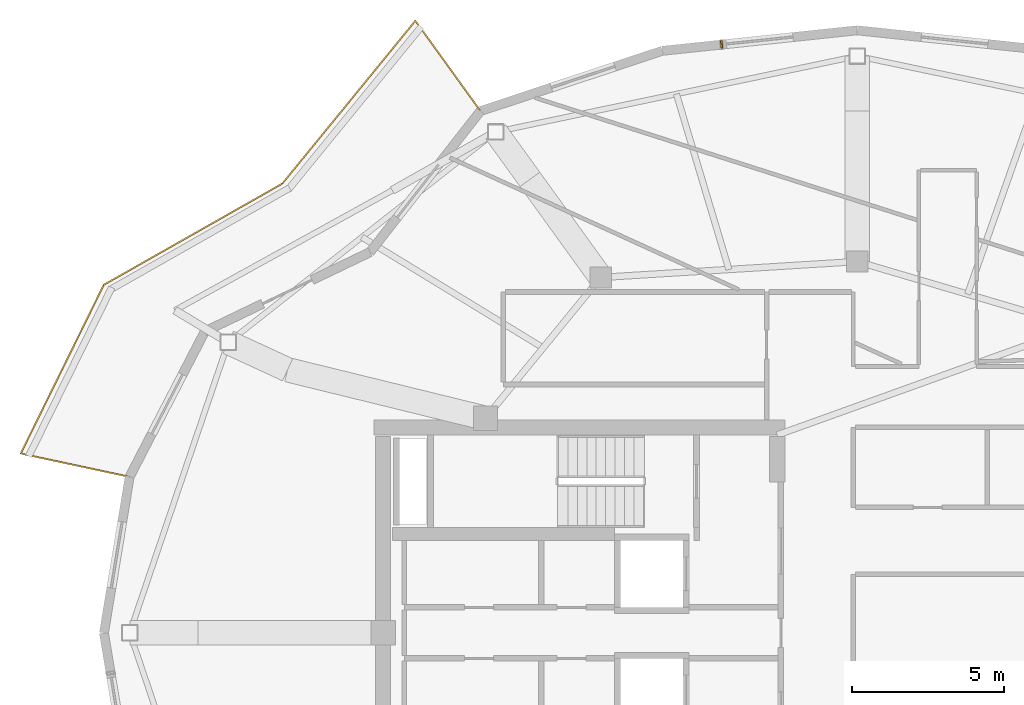
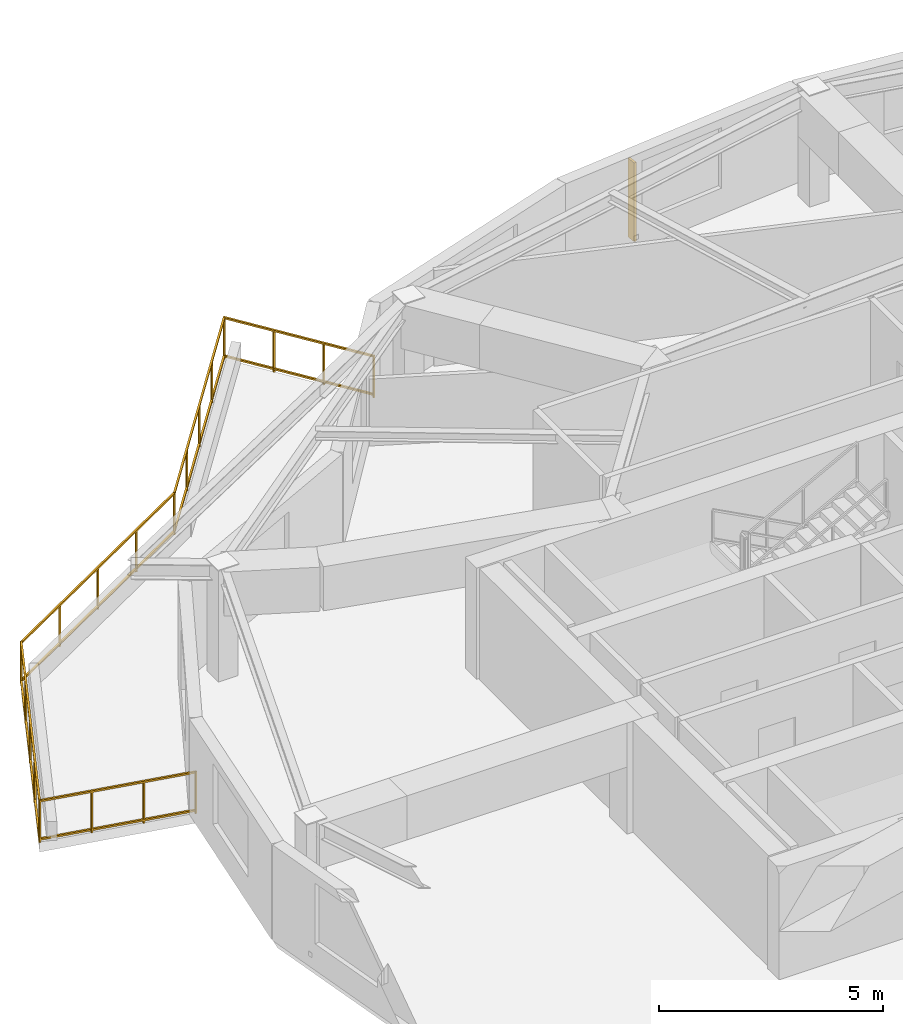
# One storey, part 10 of 11: 1 railing, 1 shading device.
"""IFC4 building model written with IfcOpenShell, lengths in metres."""

from ifc_helpers import new_model, si_unit, direction, frame, origin, origin_2d, place, context, subcontext, project, spatial, rectangle, extrude, material, type_object, element, save


model = new_model("IFC4")

# Units and contexts
model_context = context("Model", 3, precision=1e-05, world=origin(), true_north=direction((0.0, 1.0)))
body_context = subcontext(model_context, "Body", "Model", "MODEL_VIEW")
ifc_project = project(units=[si_unit("LENGTHUNIT", "METRE"), si_unit("AREAUNIT", "SQUARE_METRE"), si_unit("VOLUMEUNIT", "CUBIC_METRE"), si_unit("PLANEANGLEUNIT", "RADIAN"), si_unit("MASSUNIT", "GRAM", prefix="KILO")], contexts=[model_context])

# Site, building, storey
site_placement = place(None, origin())
site = spatial("IfcSite", under=ifc_project, at=site_placement, CompositionType="ELEMENT")
building_placement = place(site_placement, origin())
building = spatial("IfcBuilding", under=site, at=building_placement, Name="Kolvaren Gate Tower and Convention Centre", CompositionType="ELEMENT")
storey_placement = place(building_placement, frame((0.0, 0.0, 236.0)))
storey = spatial("IfcBuildingStorey", under=building, at=storey_placement, Name="L63", CompositionType="ELEMENT", Elevation=236.0)

# Railing
ifc_material_1 = material(Name="Brushed Stainless Steel Grade 316L", Category="steel")
railing_type = type_object("IfcRailingType", Name="ARCH-RL-GUARD-1150", PredefinedType="GUARDRAIL", material=ifc_material_1)
railing_placement = place(storey_placement, frame((17.75, 44.147216796875, 0.0)))
element("IfcRailing", 1, at=railing_placement, inside=storey, type_object=railing_type, Name="Tower L63 Terrace Perimeter Guardrail GR-1", PredefinedType="GUARDRAIL", context=body_context, shape_type="SweptSolid", body=[
    extrude(rectangle(XDim=0.048095703125, YDim=0.048095703125, at=origin_2d()), frame((-0.016357421875, 0.022705078125, 1.1259765625), z_axis=(-0.585212870465, 0.810879705161, 0.0), x_axis=(-0.810879705161, -0.585212870465, 0.0)), (0.0, 0.0, 1.0), 3.603759765625),
    extrude(rectangle(XDim=0.048095703125, YDim=0.048095703125, at=origin_2d()), frame((-0.016357421875, 0.022705078125, 0.083984375), z_axis=(-0.585212870465, 0.810879705161, 0.0), x_axis=(-0.810879705161, -0.585212870465, 0.0)), (0.0, 0.0, 1.0), 3.603759765625),
    extrude(rectangle(XDim=0.048095703125, YDim=0.048095703125, at=origin_2d()), frame((-2.15966796875, 2.946044921875, 1.1259765625), z_axis=(-0.632718487063, -0.77438189295, 0.0), x_axis=(0.77438189295, -0.632718487063, 0.0)), (0.0, 0.0, 1.0), 6.858154296875),
    extrude(rectangle(XDim=0.048095703125, YDim=0.048095703125, at=origin_2d()), frame((-2.15966796875, 2.946044921875, 0.083984375), z_axis=(-0.632718487063, -0.77438189295, 0.0), x_axis=(0.77438189295, -0.632718487063, 0.0)), (0.0, 0.0, 1.0), 6.858154296875),
    extrude(rectangle(XDim=0.048095703125, YDim=0.048095703125, at=origin_2d()), frame((-6.541015625, -2.400390625, 1.1259765625), z_axis=(-0.869876155964, -0.493270182846, 0.0), x_axis=(0.493270182846, -0.869876155964, 0.0)), (0.0, 0.0, 1.0), 6.6865234375),
    extrude(rectangle(XDim=0.048095703125, YDim=0.048095703125, at=origin_2d()), frame((-6.541015625, -2.400390625, 0.083984375), z_axis=(-0.869876155964, -0.493270182846, 0.0), x_axis=(0.493270182846, -0.869876155964, 0.0)), (0.0, 0.0, 1.0), 6.6865234375),
    extrude(rectangle(XDim=0.048095703125, YDim=0.048095703125, at=origin_2d()), frame((-12.394287109375, -5.737548828125, 1.1259765625), z_axis=(-0.441625304244, -0.897199582396, 0.0), x_axis=(0.897199582396, -0.441625304244, 0.0)), (0.0, 0.0, 1.0), 6.122314453125),
    extrude(rectangle(XDim=0.048095703125, YDim=0.048095703125, at=origin_2d()), frame((-12.394287109375, -5.737548828125, 0.083984375), z_axis=(-0.441625304244, -0.897199582396, 0.0), x_axis=(0.897199582396, -0.441625304244, 0.0)), (0.0, 0.0, 1.0), 6.122314453125),
    extrude(rectangle(XDim=0.048095703125, YDim=0.048095703125, at=origin_2d()), frame((-15.0830078125, -11.261474609375, 1.1259765625), z_axis=(0.977788745232, -0.209592866525, 0.0), x_axis=(0.209592866525, 0.977788745232, 0.0)), (0.0, 0.0, 1.0), 3.603759765625),
    extrude(rectangle(XDim=0.048095703125, YDim=0.048095703125, at=origin_2d()), frame((-15.0830078125, -11.261474609375, 0.083984375), z_axis=(0.977788745232, -0.209592866525, 0.0), x_axis=(0.209592866525, 0.977788745232, 0.0)), (0.0, 0.0, 1.0), 3.603759765625),
    extrude(rectangle(XDim=0.0419921875, YDim=0.0419921875, at=origin_2d()), origin(), (0.0, 0.0, 1.0), 1.14990234375),
    extrude(rectangle(XDim=0.0419921875, YDim=0.0419921875, at=origin_2d()), frame((-2.141845703125, 2.9677734375, 0.0)), (0.0, 0.0, 1.0), 1.14990234375),
    extrude(rectangle(XDim=0.0419921875, YDim=0.0419921875, at=origin_2d()), frame((-0.7138671875, 0.9892578125, 0.0)), (0.0, 0.0, 1.0), 1.099853515625),
    extrude(rectangle(XDim=0.0419921875, YDim=0.0419921875, at=origin_2d()), frame((-1.427978515625, 1.978515625, 0.0)), (0.0, 0.0, 1.0), 1.099853515625),
    extrude(rectangle(XDim=0.0419921875, YDim=0.0419921875, at=origin_2d()), frame((-6.5166015625, -2.386474609375, 0.0)), (0.0, 0.0, 1.0), 1.14990234375),
    extrude(rectangle(XDim=0.0419921875, YDim=0.0419921875, at=origin_2d()), frame((-3.235595703125, 1.629150390625, 0.0)), (0.0, 0.0, 1.0), 1.099853515625),
    extrude(rectangle(XDim=0.0419921875, YDim=0.0419921875, at=origin_2d()), frame((-4.3291015625, 0.29052734375, 0.0)), (0.0, 0.0, 1.0), 1.099853515625),
    extrude(rectangle(XDim=0.0419921875, YDim=0.0419921875, at=origin_2d()), frame((-5.4228515625, -1.0478515625, 0.0)), (0.0, 0.0, 1.0), 1.099853515625),
    extrude(rectangle(XDim=0.0419921875, YDim=0.0419921875, at=origin_2d()), frame((-12.3818359375, -5.71240234375, 0.0)), (0.0, 0.0, 1.0), 1.14990234375),
    extrude(rectangle(XDim=0.0419921875, YDim=0.0419921875, at=origin_2d()), frame((-7.98291015625, -3.218017578125, 0.0)), (0.0, 0.0, 1.0), 1.099853515625),
    extrude(rectangle(XDim=0.0419921875, YDim=0.0419921875, at=origin_2d()), frame((-9.44921875, -4.04931640625, 0.0)), (0.0, 0.0, 1.0), 1.099853515625),
    extrude(rectangle(XDim=0.0419921875, YDim=0.0419921875, at=origin_2d()), frame((-10.91552734375, -4.880859375, 0.0)), (0.0, 0.0, 1.0), 1.099853515625),
    extrude(rectangle(XDim=0.0419921875, YDim=0.0419921875, at=origin_2d()), frame((-15.1103515625, -11.255615234375, 0.0)), (0.0, 0.0, 1.0), 1.14990234375),
    extrude(rectangle(XDim=0.0419921875, YDim=0.0419921875, at=origin_2d()), frame((-13.06396484375, -7.09814453125, 0.0)), (0.0, 0.0, 1.0), 1.099853515625),
    extrude(rectangle(XDim=0.0419921875, YDim=0.0419921875, at=origin_2d()), frame((-13.74609375, -8.48388671875, 0.0)), (0.0, 0.0, 1.0), 1.099853515625),
    extrude(rectangle(XDim=0.0419921875, YDim=0.0419921875, at=origin_2d()), frame((-14.42822265625, -9.869873046875, 0.0)), (0.0, 0.0, 1.0), 1.099853515625),
    extrude(rectangle(XDim=0.0419921875, YDim=0.0419921875, at=origin_2d()), frame((-11.53173828125, -12.022705078125, 0.0)), (0.0, 0.0, 1.0), 1.14990234375),
    extrude(rectangle(XDim=0.0419921875, YDim=0.0419921875, at=origin_2d()), frame((-13.91748046875, -11.51123046875, 0.0)), (0.0, 0.0, 1.0), 1.099853515625),
    extrude(rectangle(XDim=0.0419921875, YDim=0.0419921875, at=origin_2d()), frame((-12.724609375, -11.76708984375, 0.0)), (0.0, 0.0, 1.0), 1.099853515625),
])

# Shading device
ifc_material_2 = material(Name="Kiln-Fired Bogota Terracotta Ceramic Louvre Profile", Category="masonry")
shading_device_type = type_object("IfcShadingDeviceType", Name="ARCH-SHD-FIN-180", PredefinedType="JALOUSIE", material=ifc_material_2)
shading_device_placement = place(storey_placement, frame((25.66943359375, 46.330810546875, 0.219970703125), z_axis=(0.0, 0.0, 1.0), x_axis=(0.994498884311, 0.104747167526, 0.0)))
element("IfcShadingDevice", 2, at=shading_device_placement, inside=storey, type_object=shading_device_type, Name="Ceramic Vertical Brise-Soleil Fin FN-L63-06", PredefinedType="JALOUSIE", context=body_context, shape_type="SweptSolid", body=[
    extrude(rectangle(XDim=0.06005859375, YDim=0.239990234375, at=origin_2d()), origin(), (0.0, 0.0, 1.0), 2.14990234375),
])

save(model, "model.ifc")
